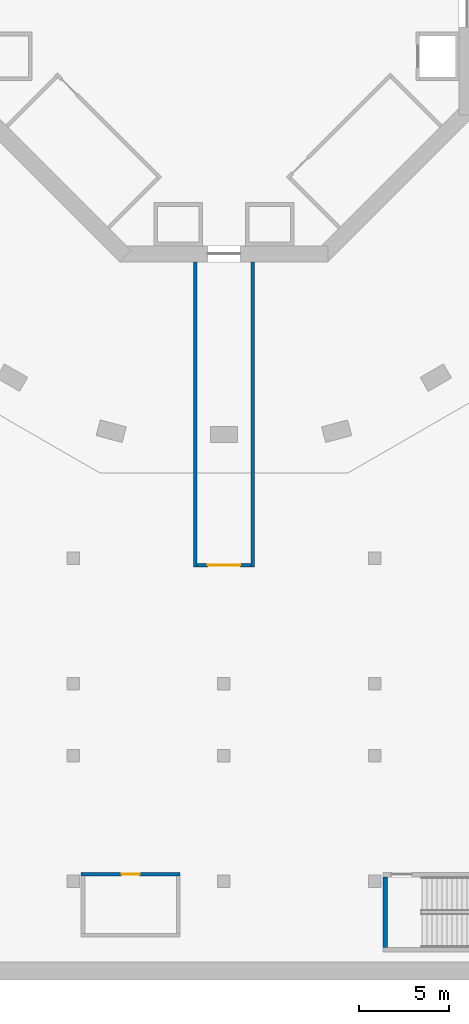
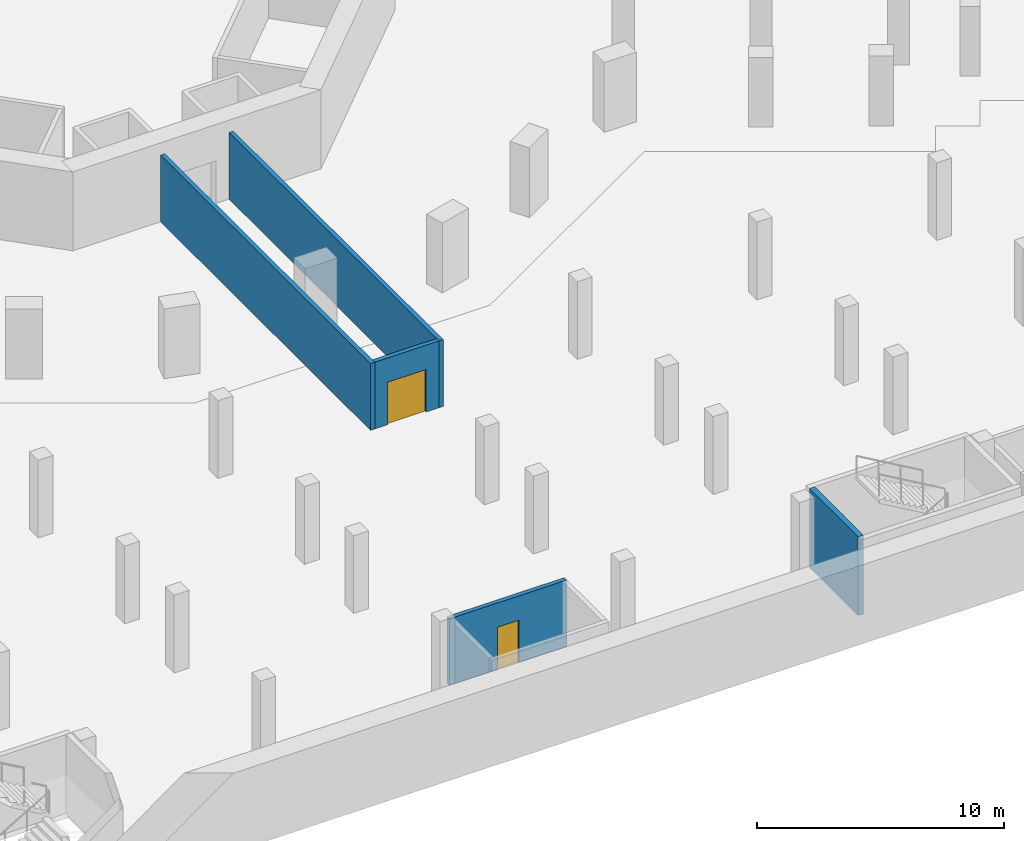
# One storey, part 5 of 25: 5 walls, 2 doors, 2 openings.
"""IFC4 building model written with IfcOpenShell, lengths in metres."""

from ifc_helpers import new_model, si_unit, direction, frame, frame_2d, origin, place, context, subcontext, project, spatial, rectangle, extrude, material, layer, layer_set, type_object, element, fill, save


model = new_model("IFC4")

# Units and contexts
model_context = context("Model", 3, precision=1e-05, world=origin(), true_north=direction((0.0, 1.0)))
body_context = subcontext(model_context, "Body", "Model", "MODEL_VIEW")
ifc_project = project(units=[si_unit("LENGTHUNIT", "METRE"), si_unit("AREAUNIT", "SQUARE_METRE"), si_unit("VOLUMEUNIT", "CUBIC_METRE"), si_unit("PLANEANGLEUNIT", "RADIAN"), si_unit("MASSUNIT", "GRAM", prefix="KILO")], contexts=[model_context])

# Site, building, storey
site_placement = place(None, origin())
site = spatial("IfcSite", under=ifc_project, at=site_placement, CompositionType="ELEMENT")
building_placement = place(site_placement, origin())
building = spatial("IfcBuilding", under=site, at=building_placement, Name="Verdalira Terraces Hotel", CompositionType="ELEMENT")
storey_placement = place(building_placement, frame((0.0, 0.0, -3.899902)))
storey = spatial("IfcBuildingStorey", under=building, at=storey_placement, Name="B1", CompositionType="ELEMENT", Elevation=-3.89990234375)

# Walls
ifc_material_1 = material(Name="Concrete C40", Category="concrete")
ifc_layer_1 = layer(ifc_material_1, 0.199951171875)
ifc_layer_set_1 = layer_set([ifc_layer_1], Name="Lift lobby wall 200 C40")
wall_type_1 = type_object("IfcWallType", Name="Lift lobby wall 200 C40", PredefinedType="PARTITIONING", material=ifc_layer_set_1)
for number, where, z_axis, x_axis, name in (
    (1, (-1.600098, -31.0, 0.0), (0.0, 0.0, 1.0), (0.0, 1.0, 0.0), "Lift lobby wall"),
    (2, (1.600098, -31.0, 0.0), (0.0, 0.0, 1.0), (0.0, 1.0, 0.0), "Lift lobby wall"),
):
    element("IfcWall", number, at=place(storey_placement, frame(where, z_axis=z_axis, x_axis=x_axis)), inside=storey, type_object=wall_type_1, Name=name, PredefinedType="PARTITIONING", context=body_context, shape_type="SweptSolid", body=[
        extrude(rectangle(XDim=17.0, YDim=0.199951, at=frame_2d((8.5, 0.0))), origin(), (0.0, 0.0, 1.0), 3.299805),
    ])

# Wall, opening, door
wall_1_placement = place(storey_placement, frame((-1.5, -30.899902, 0.0), z_axis=(0.0, 0.0, 1.0), x_axis=(1.0, 0.0, 0.0)))
wall_1 = element("IfcWall", 3, at=wall_1_placement, inside=storey, type_object=wall_type_1, Name="Lift lobby wall", PredefinedType="PARTITIONING", context=body_context, shape_type="SweptSolid", body=[
    extrude(rectangle(XDim=3.0, YDim=0.199951, at=frame_2d((1.5, 0.0))), origin(), (0.0, 0.0, 1.0), 3.299805),
])
opening_1_placement = place(wall_1_placement, frame((0.600098, 0.0, 0.0)))
opening_1 = element("IfcOpeningElement", 4, at=opening_1_placement, cuts=wall_1, Name="Opening B1-D613", PredefinedType="OPENING", context=body_context, shape_type="SweptSolid", body=[
    extrude(rectangle(XDim=1.800049, YDim=2.100098, at=frame_2d((0.899902, 1.050049))), frame((0.0, 0.109863, 0.0), z_axis=(0.0, -1.0, 0.0), x_axis=(1.0, 0.0, 0.0)), (0.0, 0.0, 1.0), 0.219971),
])
ifc_material_2 = material(Name="Steel fire door", Category="steel")
door_type_1 = type_object("IfcDoorType", Name="Lift lobby door 1800 x 2100", OperationType="DOUBLE_DOOR_SINGLE_SWING", PredefinedType="DOOR", material=ifc_material_2)
door_1_placement = place(opening_1_placement, origin())
door_1 = element("IfcDoor", 5, at=door_1_placement, inside=storey, type_object=door_type_1, Name="Lift lobby door", OperationType="DOUBLE_DOOR_SINGLE_SWING", OverallHeight=2.10009765625, OverallWidth=1.800048828125, PredefinedType="DOOR", context=body_context, shape_type="SweptSolid", body=[
    extrude(rectangle(XDim=1.800049, YDim=2.100098, at=frame_2d((0.899902, 1.050049))), frame((0.0, 0.024902, 0.0), z_axis=(0.0, -1.0, 0.0), x_axis=(1.0, 0.0, 0.0)), (0.0, 0.0, 1.0), 0.050049),
])
fill(opening_1, door_1)

ifc_material_3 = material(Name="Concrete C40", Category="concrete")
ifc_layer_2 = layer(ifc_material_3, 0.199951171875)
ifc_layer_set_2 = layer_set([ifc_layer_2], Name="Service room wall 200 C40")
wall_type_2 = type_object("IfcWallType", Name="Service room wall 200 C40", PredefinedType="PARTITIONING", material=ifc_layer_set_2)
wall_2_placement = place(storey_placement, frame((-7.949951, -48.100098, 0.0), z_axis=(0.0, 0.0, 1.0), x_axis=(1.0, 0.0, 0.0)))
wall_2 = element("IfcWall", 6, at=wall_2_placement, inside=storey, type_object=wall_type_2, Name="Valet office wall", PredefinedType="PARTITIONING", context=body_context, shape_type="SweptSolid", body=[
    extrude(rectangle(XDim=5.5, YDim=0.199951, at=frame_2d((2.75, 0.0))), origin(), (0.0, 0.0, 1.0), 3.299805),
])
opening_2_placement = place(wall_2_placement, frame((2.25, 0.0, 0.0)))
opening_2 = element("IfcOpeningElement", 7, at=opening_2_placement, cuts=wall_2, Name="Opening B1-D608", PredefinedType="OPENING", context=body_context, shape_type="SweptSolid", body=[
    extrude(rectangle(XDim=1.0, YDim=2.100098, at=frame_2d((0.5, 1.050049))), frame((0.0, 0.109863, 0.0), z_axis=(0.0, -1.0, 0.0), x_axis=(1.0, 0.0, 0.0)), (0.0, 0.0, 1.0), 0.219971),
])
ifc_material_4 = material(Name="Steel fire door", Category="steel")
door_type_2 = type_object("IfcDoorType", Name="Service room door 1000 x 2100", OperationType="SINGLE_SWING_LEFT", PredefinedType="DOOR", material=ifc_material_4)
door_2_placement = place(opening_2_placement, origin())
door_2 = element("IfcDoor", 8, at=door_2_placement, inside=storey, type_object=door_type_2, Name="Valet office door", OperationType="SINGLE_SWING_LEFT", OverallHeight=2.10009765625, OverallWidth=1.0, PredefinedType="DOOR", context=body_context, shape_type="SweptSolid", body=[
    extrude(rectangle(XDim=1.0, YDim=2.100098, at=frame_2d((0.5, 1.050049))), frame((0.0, 0.024902, 0.0), z_axis=(0.0, -1.0, 0.0), x_axis=(1.0, 0.0, 0.0)), (0.0, 0.0, 1.0), 0.050049),
])
fill(opening_2, door_2)

# Wall
ifc_material_5 = material(Name="Concrete C40", Category="concrete")
ifc_layer_3 = layer(ifc_material_5, 0.25)
ifc_layer_set_3 = layer_set([ifc_layer_3], Name="Stair enclosure wall 250 C40")
wall_type_3 = type_object("IfcWallType", Name="Stair enclosure wall 250 C40", PredefinedType="SOLIDWALL", material=ifc_layer_set_3)
wall_3_placement = place(storey_placement, frame((8.975098, -52.199951, 0.0), z_axis=(0.0, 0.0, 1.0), x_axis=(0.0, 1.0, 0.0)))
element("IfcWall", 9, at=wall_3_placement, inside=storey, type_object=wall_type_3, Name="Stair BS6 enclosure wall", PredefinedType="SOLIDWALL", context=body_context, shape_type="SweptSolid", body=[
    extrude(rectangle(XDim=3.949951, YDim=0.25, at=frame_2d((1.975098, 0.0))), origin(), (0.0, 0.0, 1.0), 3.899902),
])

save(model, "model.ifc")
